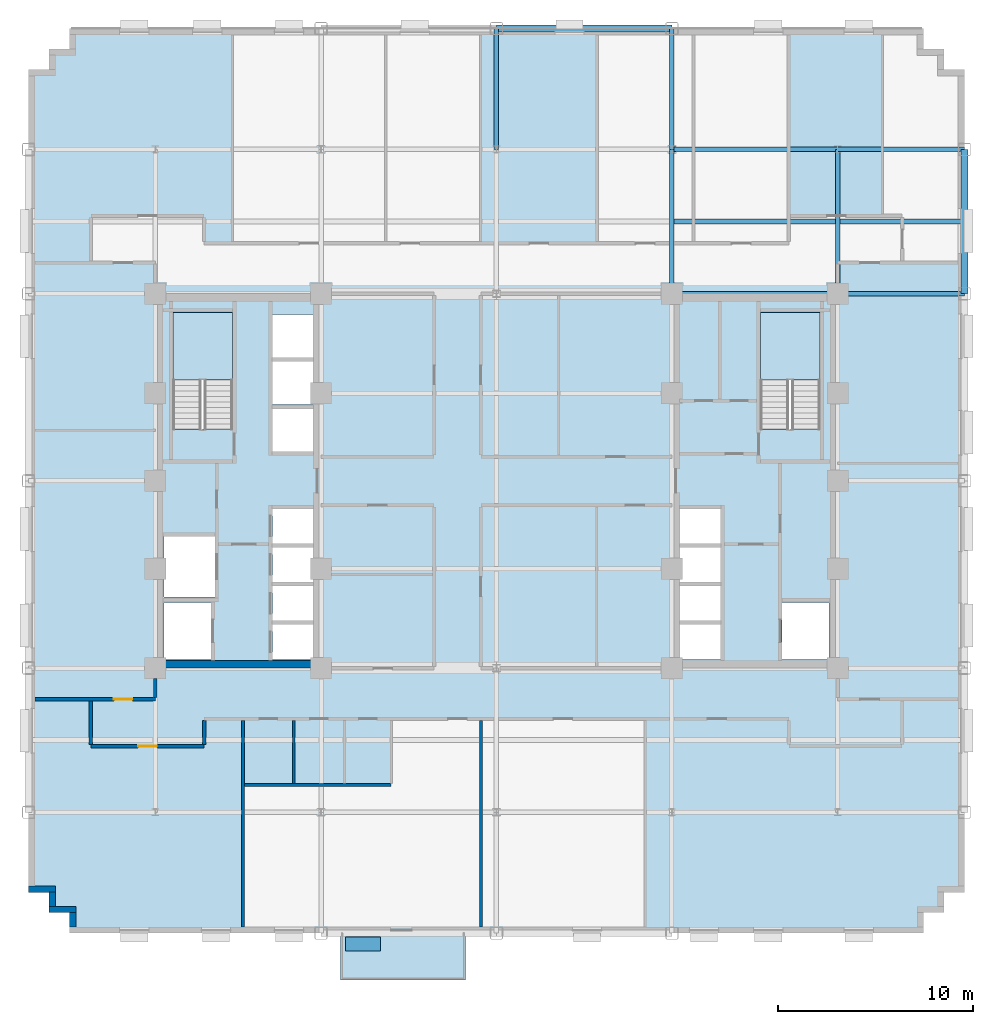
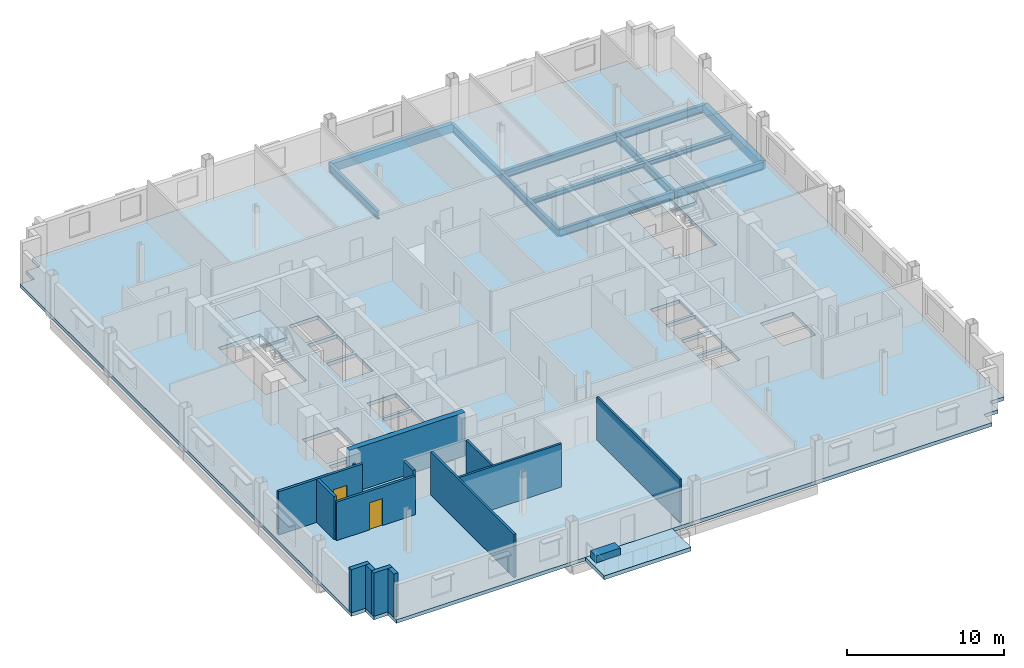
# One storey, part 5 of 14: 14 walls, 12 beams, 4 slabs, 2 doors, 1 plate, 2 openings, 2 elements without a shape of their own.
"""IFC4 building model written with IfcOpenShell, lengths in metres."""

from ifc_helpers import new_model, si_unit, direction, frame, frame_2d, origin, origin_2d, place, context, subcontext, project, spatial, polyline, rectangle, i_section, outline, extrude, source, transform, mapped, material, layer, layer_set, material_profile, profile_set, type_object, type_shapes, element, fill, aggregate, save


model = new_model("IFC4")

# Units and contexts
model_context = context("Model", 3, precision=1e-05, world=origin(), true_north=direction((0.0, 1.0)))
body_context = subcontext(model_context, "Body", "Model", "MODEL_VIEW")
ifc_project = project(units=[si_unit("LENGTHUNIT", "METRE"), si_unit("AREAUNIT", "SQUARE_METRE"), si_unit("VOLUMEUNIT", "CUBIC_METRE"), si_unit("PLANEANGLEUNIT", "RADIAN"), si_unit("MASSUNIT", "GRAM", prefix="KILO")], contexts=[model_context])

# Site, building, storey
site_placement = place(None, origin())
site = spatial("IfcSite", under=ifc_project, at=site_placement, CompositionType="ELEMENT")
building_placement = place(site_placement, origin())
building = spatial("IfcBuilding", under=site, at=building_placement, Name="Nuvemarco Arch Tower", CompositionType="ELEMENT")
storey_placement = place(building_placement, frame((0.0, 0.0, 109.25)))
storey = spatial("IfcBuildingStorey", under=building, at=storey_placement, Name="L28", CompositionType="ELEMENT", Elevation=109.25)

# Beams
ifc_material_1 = material(Name="Steel S355", Category="steel")
ifc_material_profile_1 = material_profile(ifc_material_1, i_section(OverallWidth=0.22998046875, OverallDepth=0.616943359375, WebThickness=0.01318359375, FlangeThickness=0.022216796875, FilletRadius=0.01611328125, at=origin_2d()), Name="W610x140")
ifc_profile_set_1 = profile_set([ifc_material_profile_1], Name="Steel S355")
beam_type_1 = type_object("IfcBeamType", Name="BM-GIRD-610", PredefinedType="BEAM", material=ifc_profile_set_1)
beam_1_placement = place(storey_placement, frame((0.0, 17.0, -0.58837890625), z_axis=(0.0, 1.0, 0.0), x_axis=(-1.0, 0.0, 0.0)))
element("IfcBeam", 1, at=beam_1_placement, inside=storey, type_object=beam_type_1, Name="L28 structural beam BGNS_L28_0_+0.0_+17.0", PredefinedType="BEAM", context=body_context, shape_type="SweptSolid", body=[
    extrude(i_section(OverallWidth=0.22998046875, OverallDepth=0.616943359375, WebThickness=0.01318359375, FlangeThickness=0.022216796875, FilletRadius=0.01611328125, at=origin_2d()), origin(), (0.0, 0.0, 1.0), 6.199951171875),
])
beam_2_placement = place(storey_placement, frame((9.0, 9.60009765625, -0.58837890625), z_axis=(0.0, 1.0, 0.0), x_axis=(-1.0, 0.0, 0.0)))
element("IfcBeam", 2, at=beam_2_placement, inside=storey, type_object=beam_type_1, Name="L28 structural beam BGNS_L28_0_+9.0_+9.6", PredefinedType="BEAM", context=body_context, shape_type="SweptSolid", body=[
    extrude(i_section(OverallWidth=0.22998046875, OverallDepth=0.616943359375, WebThickness=0.01318359375, FlangeThickness=0.022216796875, FilletRadius=0.01611328125, at=origin_2d()), origin(), (0.0, 0.0, 1.0), 7.39990234375),
])
beam_3_placement = place(storey_placement, frame((9.0, 17.0, -0.58837890625), z_axis=(0.0, 1.0, 0.0), x_axis=(-1.0, 0.0, 0.0)))
element("IfcBeam", 3, at=beam_3_placement, inside=storey, type_object=beam_type_1, Name="L28 structural beam BGNS_L28_0_+9.0_+17.0", PredefinedType="BEAM", context=body_context, shape_type="SweptSolid", body=[
    extrude(i_section(OverallWidth=0.22998046875, OverallDepth=0.616943359375, WebThickness=0.01318359375, FlangeThickness=0.022216796875, FilletRadius=0.01611328125, at=origin_2d()), origin(), (0.0, 0.0, 1.0), 6.199951171875),
])
beam_4_placement = place(storey_placement, frame((17.5, 9.60009765625, -0.58837890625), z_axis=(0.0, 1.0, 0.0), x_axis=(-1.0, 0.0, 0.0)))
element("IfcBeam", 4, at=beam_4_placement, inside=storey, type_object=beam_type_1, Name="L28 structural beam BGNS_L28_0_+17.5_+9.6", PredefinedType="BEAM", context=body_context, shape_type="SweptSolid", body=[
    extrude(i_section(OverallWidth=0.22998046875, OverallDepth=0.616943359375, WebThickness=0.01318359375, FlangeThickness=0.022216796875, FilletRadius=0.01611328125, at=origin_2d()), origin(), (0.0, 0.0, 1.0), 7.39990234375),
])
beam_5_placement = place(storey_placement, frame((9.0, 9.60009765625, -0.58837890625), z_axis=(1.0, 0.0, 0.0), x_axis=(0.0, 1.0, 0.0)))
element("IfcBeam", 5, at=beam_5_placement, inside=storey, type_object=beam_type_1, Name="L28 structural beam BGEW_L28_0_+9.6_+9.0", PredefinedType="BEAM", context=body_context, shape_type="SweptSolid", body=[
    extrude(i_section(OverallWidth=0.22998046875, OverallDepth=0.616943359375, WebThickness=0.01318359375, FlangeThickness=0.022216796875, FilletRadius=0.01611328125, at=origin_2d()), origin(), (0.0, 0.0, 1.0), 8.5),
])
beam_6_placement = place(storey_placement, frame((17.5, 9.60009765625, -0.58837890625), z_axis=(1.0, 0.0, 0.0), x_axis=(0.0, 1.0, 0.0)))
element("IfcBeam", 6, at=beam_6_placement, inside=storey, type_object=beam_type_1, Name="L28 structural beam BGEW_L28_0_+9.6_+17.5", PredefinedType="BEAM", context=body_context, shape_type="SweptSolid", body=[
    extrude(i_section(OverallWidth=0.22998046875, OverallDepth=0.616943359375, WebThickness=0.01318359375, FlangeThickness=0.022216796875, FilletRadius=0.01611328125, at=origin_2d()), origin(), (0.0, 0.0, 1.0), 6.5),
])
beam_7_placement = place(storey_placement, frame((9.0, 17.0, -0.58837890625), z_axis=(1.0, 0.0, 0.0), x_axis=(0.0, 1.0, 0.0)))
element("IfcBeam", 7, at=beam_7_placement, inside=storey, type_object=beam_type_1, Name="L28 structural beam BGEW_L28_0_+17.0_+9.0", PredefinedType="BEAM", context=body_context, shape_type="SweptSolid", body=[
    extrude(i_section(OverallWidth=0.22998046875, OverallDepth=0.616943359375, WebThickness=0.01318359375, FlangeThickness=0.022216796875, FilletRadius=0.01611328125, at=origin_2d()), origin(), (0.0, 0.0, 1.0), 8.5),
])
beam_8_placement = place(storey_placement, frame((17.5, 17.0, -0.58837890625), z_axis=(1.0, 0.0, 0.0), x_axis=(0.0, 1.0, 0.0)))
element("IfcBeam", 8, at=beam_8_placement, inside=storey, type_object=beam_type_1, Name="L28 structural beam BGEW_L28_0_+17.0_+17.5", PredefinedType="BEAM", context=body_context, shape_type="SweptSolid", body=[
    extrude(i_section(OverallWidth=0.22998046875, OverallDepth=0.616943359375, WebThickness=0.01318359375, FlangeThickness=0.022216796875, FilletRadius=0.01611328125, at=origin_2d()), origin(), (0.0, 0.0, 1.0), 6.5),
])
ifc_material_profile_2 = material_profile(ifc_material_1, i_section(OverallWidth=0.2548828125, OverallDepth=0.35693359375, WebThickness=0.010498046875, FlangeThickness=0.018310546875, FilletRadius=0.014892578125, at=origin_2d()), Name="W360x101")
ifc_profile_set_2 = profile_set([ifc_material_profile_2], Name="Steel S355")
beam_type_2 = type_object("IfcBeamType", Name="BM-JOIST-360H", PredefinedType="JOIST", material=ifc_profile_set_2)
beam_9_placement = place(storey_placement, frame((9.114990234375, 13.300048828125, -0.45849609375), z_axis=(1.0, 0.0, 0.0), x_axis=(0.0, 1.0, 0.0)))
element("IfcBeam", 9, at=beam_9_placement, inside=storey, type_object=beam_type_2, Name="L28 structural beam BJ_L28_0_+13.3_+9.0", PredefinedType="JOIST", context=body_context, shape_type="SweptSolid", body=[
    extrude(i_section(OverallWidth=0.2548828125, OverallDepth=0.35693359375, WebThickness=0.010498046875, FlangeThickness=0.018310546875, FilletRadius=0.014892578125, at=origin_2d()), origin(), (0.0, 0.0, 1.0), 8.27001953125),
])
beam_10_placement = place(storey_placement, frame((17.614990234375, 13.300048828125, -0.45849609375), z_axis=(1.0, 0.0, 0.0), x_axis=(0.0, 1.0, 0.0)))
element("IfcBeam", 10, at=beam_10_placement, inside=storey, type_object=beam_type_2, Name="L28 structural beam BJ_L28_0_+13.3_+17.5", PredefinedType="JOIST", context=body_context, shape_type="SweptSolid", body=[
    extrude(i_section(OverallWidth=0.2548828125, OverallDepth=0.35693359375, WebThickness=0.010498046875, FlangeThickness=0.018310546875, FilletRadius=0.014892578125, at=origin_2d()), origin(), (0.0, 0.0, 1.0), 6.2099609375),
])
ifc_material_2 = material(Name="Precast concrete C45/55", Category="concrete")
ifc_material_profile_3 = material_profile(ifc_material_2, rectangle(XDim=0.35009765625, YDim=0.64990234375, at=origin_2d()), Name="PC-SP-350x650")
ifc_profile_set_3 = profile_set([ifc_material_profile_3], Name="Precast concrete C45/55")
beam_type_3 = type_object("IfcBeamType", Name="BM-SPAN-RC", PredefinedType="SPANDREL", material=ifc_profile_set_3)
beam_11_placement = place(storey_placement, frame((24.0, 9.60009765625, -0.60498046875), z_axis=(0.0, 1.0, 0.0), x_axis=(-1.0, 0.0, 0.0)))
element("IfcBeam", 11, at=beam_11_placement, inside=storey, type_object=beam_type_3, Name="L28 structural beam BGNS_L28_0_+24.0_+9.6", PredefinedType="SPANDREL", context=body_context, shape_type="SweptSolid", body=[
    extrude(rectangle(XDim=0.35009765625, YDim=0.64990234375, at=origin_2d()), origin(), (0.0, 0.0, 1.0), 7.39990234375),
])
beam_12_placement = place(storey_placement, frame((0.0, 23.199951171875, -0.60498046875), z_axis=(1.0, 0.0, 0.0), x_axis=(0.0, 1.0, 0.0)))
element("IfcBeam", 12, at=beam_12_placement, inside=storey, type_object=beam_type_3, Name="L28 structural beam BGEW_L28_0_+23.2_+0.0", PredefinedType="SPANDREL", context=body_context, shape_type="SweptSolid", body=[
    extrude(rectangle(XDim=0.35009765625, YDim=0.64990234375, at=origin_2d()), origin(), (0.0, 0.0, 1.0), 9.0),
])

# Slab
ifc_material_3 = material(Name="Concrete C50/60", Category="concrete")
ifc_layer_1 = layer(ifc_material_3, 0.280029296875, Name="SL-FLR-280")
ifc_layer_set_1 = layer_set([ifc_layer_1], Name="Concrete C50/60")
slab_type_1 = type_object("IfcSlabType", Name="SL-FLR-280", PredefinedType="FLOOR", material=ifc_layer_set_1)
slab_1_placement = place(storey_placement, frame((0.0, 0.0, -0.280029296875)))
element("IfcSlab", 13, at=slab_1_placement, inside=storey, type_object=slab_type_1, Name="L28 structural floor slab", PredefinedType="FLOOR", context=body_context, shape_type="SweptSolid", body=[
    extrude(outline(polyline([(-21.89990234375, -23.199951171875), (21.89990234375, -23.199951171875), (21.89990234375, -22.14990234375), (22.949951171875, -22.14990234375), (22.949951171875, -21.10009765625), (24.0, -21.10009765625), (24.0, 21.10009765625), (22.949951171875, 21.10009765625), (22.949951171875, 22.14990234375), (21.89990234375, 22.14990234375), (21.89990234375, 23.199951171875), (-21.89990234375, 23.199951171875), (-21.89990234375, 22.14990234375), (-22.949951171875, 22.14990234375), (-22.949951171875, 21.10009765625), (-24.0, 21.10009765625), (-24.0, -21.10009765625), (-22.949951171875, -21.10009765625), (-22.949951171875, -22.14990234375), (-21.89990234375, -22.14990234375), (-21.89990234375, -23.199951171875)]), holes=[polyline([(-13.5400390625, 2.669921875), (-13.5400390625, 8.64990234375), (-16.60009765625, 8.64990234375), (-16.60009765625, 2.630615234375), (-15.070068359375, 2.630615234375), (-15.070068359375, 2.669921875), (-13.5400390625, 2.669921875)]), polyline([(16.60009765625, 2.669921875), (16.60009765625, 8.64990234375), (13.5400390625, 8.64990234375), (13.5400390625, 2.630615234375), (15.070068359375, 2.630615234375), (15.070068359375, 2.669921875), (16.60009765625, 2.669921875)]), polyline([(-17.050048828125, -9.14990234375), (-14.64990234375, -9.14990234375), (-14.64990234375, -6.25), (-17.050048828125, -6.25), (-17.050048828125, -9.14990234375)]), polyline([(-17.050048828125, -5.949951171875), (-14.449951171875, -5.949951171875), (-14.449951171875, -2.85009765625), (-17.050048828125, -2.85009765625), (-17.050048828125, -5.949951171875)]), polyline([(-11.5, -9.14990234375), (-9.35009765625, -9.14990234375), (-9.35009765625, -7.3701171875), (-11.5, -7.3701171875), (-11.5, -9.14990234375)]), polyline([(-11.5, -7.169921875), (-9.35009765625, -7.169921875), (-9.35009765625, -5.389892578125), (-11.5, -5.389892578125), (-11.5, -7.169921875)]), polyline([(-11.5, -5.18994140625), (-9.35009765625, -5.18994140625), (-9.35009765625, -3.409912109375), (-11.5, -3.409912109375), (-11.5, -5.18994140625)]), polyline([(-11.5, -3.2099609375), (-9.35009765625, -3.2099609375), (-9.35009765625, -1.429931640625), (-11.5, -1.429931640625), (-11.5, -3.2099609375)]), polyline([(-11.5, 1.5), (-9.35009765625, 1.5), (-9.35009765625, 3.699951171875), (-11.5, 3.699951171875), (-11.5, 1.5)]), polyline([(-11.5, 3.919921875), (-9.35009765625, 3.919921875), (-9.35009765625, 6.1201171875), (-11.5, 6.1201171875), (-11.5, 3.919921875)]), polyline([(-11.5, 6.340087890625), (-9.35009765625, 6.340087890625), (-9.35009765625, 8.5400390625), (-11.5, 8.5400390625), (-11.5, 6.340087890625)]), polyline([(14.64990234375, -9.14990234375), (17.050048828125, -9.14990234375), (17.050048828125, -6.25), (14.64990234375, -6.25), (14.64990234375, -9.14990234375)]), polyline([(9.35009765625, -9.14990234375), (11.5, -9.14990234375), (11.5, -7.3701171875), (9.35009765625, -7.3701171875), (9.35009765625, -9.14990234375)]), polyline([(9.35009765625, -7.169921875), (11.5, -7.169921875), (11.5, -5.389892578125), (9.35009765625, -5.389892578125), (9.35009765625, -7.169921875)]), polyline([(9.35009765625, -5.18994140625), (11.5, -5.18994140625), (11.5, -3.409912109375), (9.35009765625, -3.409912109375), (9.35009765625, -5.18994140625)]), polyline([(9.35009765625, -3.2099609375), (11.5, -3.2099609375), (11.5, -1.429931640625), (9.35009765625, -1.429931640625), (9.35009765625, -3.2099609375)])]), origin(), (0.0, 0.0, 1.0), 0.280029296875),
])

# Stair, slab
stair_type = type_object("IfcStairType", Name="ST-CORE-20R", PredefinedType="HALF_TURN_STAIR", material=ifc_material_2)
stair_1_placement = place(storey_placement, origin())
stair_1 = element("IfcStair", 14, at=stair_1_placement, inside=storey, type_object=stair_type, Name="L28 Protected Exit Stair ST-1", PredefinedType="HALF_TURN_STAIR")
ifc_layer_2 = layer(ifc_material_2, 0.199951171875, Name="SL-LANDING-200")
ifc_layer_set_2 = layer_set([ifc_layer_2], Name="Precast concrete C45/55")
slab_type_2 = type_object("IfcSlabType", Name="SL-LANDING-200", PredefinedType="LANDING", material=ifc_layer_set_2)
slab_2_placement = place(storey_placement, frame((0.0, 0.0, 1.625)))
slab_2 = element("IfcSlab", 15, at=slab_2_placement, type_object=slab_type_2, Name="ST-20R landing 1", PredefinedType="LANDING", context=body_context, shape_type="SweptSolid", body=[
    extrude(outline(polyline([(-13.5400390625, 5.189453125), (-13.5400390625, 8.64990234375), (-16.60009765625, 8.64990234375), (-16.60009765625, 5.169921875), (-15.070068359375, 5.169921875), (-15.070068359375, 5.189453125), (-13.5400390625, 5.189453125)])), origin(), (0.0, 0.0, 1.0), 0.199951171875),
])
aggregate(stair_1, [slab_2])

stair_2_placement = place(storey_placement, origin())
stair_2 = element("IfcStair", 16, at=stair_2_placement, inside=storey, type_object=stair_type, Name="L28 Protected Exit Stair ST-2", PredefinedType="HALF_TURN_STAIR")
slab_3_placement = place(storey_placement, frame((0.0, 0.0, 1.625)))
slab_3 = element("IfcSlab", 17, at=slab_3_placement, type_object=slab_type_2, Name="ST-20R landing 1", PredefinedType="LANDING", context=body_context, shape_type="SweptSolid", body=[
    extrude(outline(polyline([(16.60009765625, 5.189453125), (16.60009765625, 8.64990234375), (13.5400390625, 8.64990234375), (13.5400390625, 5.169921875), (15.070068359375, 5.169921875), (15.070068359375, 5.189453125), (16.60009765625, 5.189453125)])), origin(), (0.0, 0.0, 1.0), 0.199951171875),
])
aggregate(stair_2, [slab_3])

# Slab
ifc_layer_3 = layer(ifc_material_3, 0.294921875, Name="SL-TR4")
ifc_layer_set_3 = layer_set([ifc_layer_3], Name="Concrete C50/60")
slab_type_3 = type_object("IfcSlabType", Name="SL-TR4", PredefinedType="FLOOR", material=ifc_layer_set_3)
slab_4_placement = place(storey_placement, frame((0.0, 0.0, -0.294921875)))
element("IfcSlab", 18, at=slab_4_placement, inside=storey, type_object=slab_type_3, Name="L28 outdoor spiral terrace slab 1", PredefinedType="FLOOR", context=body_context, shape_type="SweptSolid", body=[
    extrude(outline(polyline([(-8.0, -25.60009765625), (-1.60009765625, -25.60009765625), (-1.60009765625, -23.199951171875), (-8.0, -23.199951171875), (-8.0, -25.60009765625)])), origin(), (0.0, 0.0, 1.0), 0.294921875),
])

# Plate
ifc_layer_4 = layer(ifc_material_2, 0.550048828125, Name="Tree Balcony Structural Planter")
ifc_layer_set_4 = layer_set([ifc_layer_4], Name="Precast concrete C45/55")
plate_type = type_object("IfcPlateType", Name="Tree Balcony Structural Planter", PredefinedType="USERDEFINED", material=ifc_layer_set_4)
shared_shape_1 = source(origin(), body_context, "Body", "SweptSolid", [
    extrude(rectangle(XDim=1.800048828125, YDim=0.699951171875, at=origin_2d()), origin(), (0.0, 0.0, 1.0), 0.550048828125),
])
type_shapes(plate_type, [shared_shape_1])
plate_placement = place(storey_placement, frame((-6.85009765625, -23.75, 0.0), z_axis=(0.0, 0.0, 1.0), x_axis=(1.0, 0.0, 0.0)))
element("IfcPlate", 19, at=plate_placement, inside=storey, type_object=plate_type, Name="L28 Tree Balcony Structural Planter", ObjectType="PLANTER", PredefinedType="USERDEFINED", context=body_context, shape_type="MappedRepresentation", body=[
    mapped(shared_shape_1, transform((0.0, 0.0, 0.0), scale=1.0)),
])

# Walls
ifc_layer_5 = layer(ifc_material_2, 0.320068359375, Name="EW-MID-320")
ifc_layer_set_5 = layer_set([ifc_layer_5], Name="Precast concrete C45/55")
wall_type_1 = type_object("IfcWallType", Name="EW-MID-320", PredefinedType="STANDARD", material=ifc_layer_set_5)
wall_1_placement = place(storey_placement, frame((-24.0, -20.93994140625, 0.0), z_axis=(0.0, 0.0, 1.0), x_axis=(1.0, 0.0, 0.0)))
element("IfcWall", 20, at=wall_1_placement, inside=storey, type_object=wall_type_1, Name="L28 exterior precast facade wall 17", PredefinedType="STANDARD", context=body_context, shape_type="SweptSolid", body=[
    extrude(rectangle(XDim=1.3701171875, YDim=0.320068359375, at=frame_2d((0.68505859375, 0.0))), origin(), (0.0, 0.0, 1.0), 3.360107421875),
])
wall_2_placement = place(storey_placement, frame((-22.7900390625, -21.833984375, 0.0), z_axis=(0.0, 0.0, 1.0), x_axis=(0.0, 1.0, 0.0)))
element("IfcWall", 21, at=wall_2_placement, inside=storey, type_object=wall_type_1, Name="L28 exterior precast facade wall 18", PredefinedType="STANDARD", context=body_context, shape_type="SweptSolid", body=[
    extrude(rectangle(XDim=0.738037109375, YDim=0.320068359375, at=frame_2d((0.369140625, 0.0))), origin(), (0.0, 0.0, 1.0), 3.360107421875),
])
wall_3_placement = place(storey_placement, frame((-22.949951171875, -21.989990234375, 0.0), z_axis=(0.0, 0.0, 1.0), x_axis=(1.0, 0.0, 0.0)))
element("IfcWall", 22, at=wall_3_placement, inside=storey, type_object=wall_type_1, Name="L28 exterior precast facade wall 19", PredefinedType="STANDARD", context=body_context, shape_type="SweptSolid", body=[
    extrude(rectangle(XDim=1.369873046875, YDim=0.320068359375, at=frame_2d((0.68505859375, 0.0))), origin(), (0.0, 0.0, 1.0), 3.360107421875),
])
wall_4_placement = place(storey_placement, frame((-21.739990234375, -22.884033203125, 0.0), z_axis=(0.0, 0.0, 1.0), x_axis=(0.0, 1.0, 0.0)))
element("IfcWall", 23, at=wall_4_placement, inside=storey, type_object=wall_type_1, Name="L28 exterior precast facade wall 20", PredefinedType="STANDARD", context=body_context, shape_type="SweptSolid", body=[
    extrude(rectangle(XDim=0.738037109375, YDim=0.320068359375, at=frame_2d((0.369140625, 0.0))), origin(), (0.0, 0.0, 1.0), 3.360107421875),
])
ifc_material_4 = material(Name="Concrete C60/75", Category="concrete")
ifc_layer_6 = layer(ifc_material_4, 0.39990234375, Name="WL-CORE-400")
ifc_layer_set_6 = layer_set([ifc_layer_6], Name="Concrete C60/75")
wall_type_2 = type_object("IfcWallType", Name="WL-CORE-400", PredefinedType="SHEAR", material=ifc_layer_set_6)
wall_5_placement = place(storey_placement, frame((-17.5, -9.39990234375, 0.0), z_axis=(0.0, 0.0, 1.0), x_axis=(1.0, 0.0, 0.0)))
element("IfcWall", 24, at=wall_5_placement, inside=storey, type_object=wall_type_2, Name="L28 W-core shear wall S", PredefinedType="SHEAR", context=body_context, shape_type="SweptSolid", body=[
    extrude(rectangle(XDim=8.5, YDim=0.39990234375, at=frame_2d((4.25, 0.0))), origin(), (0.0, 0.0, 1.0), 3.3701171875),
])

# Wall, opening, door
ifc_material_5 = material(Name="Fire-rated gypsum drywall partition")
ifc_layer_7 = layer(ifc_material_5, 0.179931640625, Name="WL-CORR-180")
ifc_layer_set_7 = layer_set([ifc_layer_7], Name="Fire-rated gypsum drywall partition")
wall_type_3 = type_object("IfcWallType", Name="WL-CORR-180", PredefinedType="PARTITIONING", material=ifc_layer_set_7)
wall_6_placement = place(storey_placement, frame((-20.800048828125, -13.60009765625, 0.0), z_axis=(0.0, 0.0, 1.0), x_axis=(1.0, 0.0, 0.0)))
wall_6 = element("IfcWall", 25, at=wall_6_placement, inside=storey, type_object=wall_type_3, Name="L28 interior wall IW-L28-002", PredefinedType="PARTITIONING", context=body_context, shape_type="SweptSolid", body=[
    extrude(rectangle(XDim=5.800048828125, YDim=0.179931640625, at=frame_2d((2.89990234375, 0.0))), origin(), (0.0, 0.0, 1.0), 2.998046875),
])
opening_1_placement = place(wall_6_placement, frame((2.419921875, 0.0, 0.0)))
opening_1 = element("IfcOpeningElement", 26, at=opening_1_placement, cuts=wall_6, Name="Opening FD-5", PredefinedType="OPENING", context=body_context, shape_type="SweptSolid", body=[
    extrude(rectangle(XDim=0.9599609375, YDim=2.10009765625, at=frame_2d((0.47998046875, 1.050048828125))), frame((0.0, 0.099853515625, 0.0), z_axis=(0.0, -1.0, 0.0), x_axis=(1.0, 0.0, 0.0)), (0.0, 0.0, 1.0), 0.199951171875),
])
ifc_material_6 = material(Name="Timber fire door", Category="wood")
door_type = type_object("IfcDoorType", Name="DR-CORR-FD", OperationType="NOTDEFINED", PredefinedType="DOOR", material=ifc_material_6)
shared_shape_2 = source(origin(), body_context, "Body", "SweptSolid", [
    extrude(rectangle(XDim=0.9599609375, YDim=2.10009765625, at=frame_2d((0.47998046875, 1.050048828125))), frame((0.0, 0.02490234375, 0.0), z_axis=(0.0, -1.0, 0.0), x_axis=(1.0, 0.0, 0.0)), (0.0, 0.0, 1.0), 0.050048828125),
])
type_shapes(door_type, [shared_shape_2])
door_1_placement = place(opening_1_placement, origin())
door_1 = element("IfcDoor", 27, at=door_1_placement, inside=storey, type_object=door_type, Name="L28 door DR-L28-S_1", OperationType="SINGLE_SWING_RIGHT", OverallHeight=2.10009765625, OverallWidth=0.9599609375, PredefinedType="DOOR", context=body_context, shape_type="MappedRepresentation", body=[
    mapped(shared_shape_2, transform((0.0, 0.0, 0.0), scale=1.0)),
])
fill(opening_1, door_1)

wall_7_placement = place(storey_placement, frame((-23.679931640625, -11.199951171875, 0.0), z_axis=(0.0, 0.0, 1.0), x_axis=(1.0, 0.0, 0.0)))
wall_7 = element("IfcWall", 28, at=wall_7_placement, inside=storey, type_object=wall_type_3, Name="L28 interior wall IW-L28-005", PredefinedType="PARTITIONING", context=body_context, shape_type="SweptSolid", body=[
    extrude(rectangle(XDim=6.179931640625, YDim=0.179931640625, at=frame_2d((3.08984375, 0.0))), origin(), (0.0, 0.0, 1.0), 3.360107421875),
])
opening_2_placement = place(wall_7_placement, frame((4.050048828125, 0.0, 0.0)))
opening_2 = element("IfcOpeningElement", 29, at=opening_2_placement, cuts=wall_7, Name="Opening FD-5", PredefinedType="OPENING", context=body_context, shape_type="SweptSolid", body=[
    extrude(rectangle(XDim=0.9599609375, YDim=2.10009765625, at=frame_2d((0.47998046875, 1.050048828125))), frame((0.0, 0.099853515625, 0.0), z_axis=(0.0, -1.0, 0.0), x_axis=(1.0, 0.0, 0.0)), (0.0, 0.0, 1.0), 0.199951171875),
])
door_2_placement = place(opening_2_placement, origin())
door_2 = element("IfcDoor", 30, at=door_2_placement, inside=storey, type_object=door_type, Name="L28 door DR-L28-W_1", OperationType="SINGLE_SWING_RIGHT", OverallHeight=2.10009765625, OverallWidth=0.9599609375, PredefinedType="DOOR", context=body_context, shape_type="MappedRepresentation", body=[
    mapped(shared_shape_2, transform((0.0, 0.0, 0.0), scale=1.0)),
])
fill(opening_2, door_2)

# Walls
wall_8_placement = place(storey_placement, frame((-20.800048828125, -13.513916015625, 0.0), z_axis=(0.0, 0.0, 1.0), x_axis=(0.0, 1.0, 0.0)))
element("IfcWall", 31, at=wall_8_placement, inside=storey, type_object=wall_type_3, Name="L28 interior wall IW-L28-025", PredefinedType="PARTITIONING", context=body_context, shape_type="SweptSolid", body=[
    extrude(rectangle(XDim=2.22802734375, YDim=0.179931640625, at=frame_2d((1.114013671875, 0.0))), origin(), (0.0, 0.0, 1.0), 3.360107421875),
])
wall_9_placement = place(storey_placement, frame((-17.5, -11.114013671875, 0.0), z_axis=(0.0, 0.0, 1.0), x_axis=(0.0, 1.0, 0.0)))
element("IfcWall", 32, at=wall_9_placement, inside=storey, type_object=wall_type_3, Name="L28 interior wall IW-L28-027", PredefinedType="PARTITIONING", context=body_context, shape_type="SweptSolid", body=[
    extrude(rectangle(XDim=0.968017578125, YDim=0.179931640625, at=frame_2d((0.48388671875, 0.0))), origin(), (0.0, 0.0, 1.0), 2.738037109375),
])
wall_10_placement = place(storey_placement, frame((-15.0, -13.513916015625, 0.0), z_axis=(0.0, 0.0, 1.0), x_axis=(0.0, 1.0, 0.0)))
element("IfcWall", 33, at=wall_10_placement, inside=storey, type_object=wall_type_3, Name="L28 interior wall IW-L28-029", PredefinedType="PARTITIONING", context=body_context, shape_type="SweptSolid", body=[
    extrude(rectangle(XDim=1.22802734375, YDim=0.179931640625, at=frame_2d((0.614013671875, 0.0))), origin(), (0.0, 0.0, 1.0), 3.360107421875),
])
ifc_material_7 = material(Name="Gypsum plasterboard partition")
ifc_layer_8 = layer(ifc_material_7, 0.139892578125, Name="WL-ROOM-140")
ifc_layer_set_8 = layer_set([ifc_layer_8], Name="Gypsum plasterboard partition")
wall_type_4 = type_object("IfcWallType", Name="WL-ROOM-140", PredefinedType="PARTITIONING", material=ifc_layer_set_8)
wall_11_placement = place(storey_placement, frame((-0.800048828125, -22.8798828125, 0.0), z_axis=(0.0, 0.0, 1.0), x_axis=(0.0, 1.0, 0.0)))
element("IfcWall", 34, at=wall_11_placement, inside=storey, type_object=wall_type_4, Name="L28 interior wall IW-L28-039", PredefinedType="PARTITIONING", context=body_context, shape_type="SweptSolid", body=[
    extrude(rectangle(XDim=10.593994140625, YDim=0.139892578125, at=frame_2d((5.296875, 0.0))), origin(), (0.0, 0.0, 1.0), 3.360107421875),
])
ifc_material_8 = material(Name="Moisture-resistant gypsum partition")
ifc_layer_9 = layer(ifc_material_8, 0.14990234375, Name="WL-WET-150")
ifc_layer_set_9 = layer_set([ifc_layer_9], Name="Moisture-resistant gypsum partition")
wall_type_5 = type_object("IfcWallType", Name="WL-WET-150", PredefinedType="PARTITIONING", material=ifc_layer_set_9)
wall_12_placement = place(storey_placement, frame((-12.93408203125, -15.60009765625, 0.0), z_axis=(0.0, 0.0, 1.0), x_axis=(1.0, 0.0, 0.0)))
element("IfcWall", 35, at=wall_12_placement, inside=storey, type_object=wall_type_5, Name="L28 interior wall IW-L28-001", PredefinedType="PARTITIONING", context=body_context, shape_type="SweptSolid", body=[
    extrude(rectangle(XDim=7.5341796875, YDim=0.14990234375, at=frame_2d((3.76708984375, 0.0))), origin(), (0.0, 0.0, 1.0), 3.360107421875),
])
wall_13_placement = place(storey_placement, frame((-13.0, -22.8798828125, 0.0), z_axis=(0.0, 0.0, 1.0), x_axis=(0.0, 1.0, 0.0)))
element("IfcWall", 36, at=wall_13_placement, inside=storey, type_object=wall_type_5, Name="L28 interior wall IW-L28-032", PredefinedType="PARTITIONING", context=body_context, shape_type="SweptSolid", body=[
    extrude(rectangle(XDim=10.593994140625, YDim=0.14990234375, at=frame_2d((5.296875, 0.0))), origin(), (0.0, 0.0, 1.0), 3.360107421875),
])
wall_14_placement = place(storey_placement, frame((-10.39990234375, -15.529052734375, 0.0), z_axis=(0.0, 0.0, 1.0), x_axis=(0.0, 1.0, 0.0)))
element("IfcWall", 37, at=wall_14_placement, inside=storey, type_object=wall_type_5, Name="L28 interior wall IW-L28-033", PredefinedType="PARTITIONING", context=body_context, shape_type="SweptSolid", body=[
    extrude(rectangle(XDim=3.2431640625, YDim=0.14990234375, at=frame_2d((1.62158203125, 0.0))), origin(), (0.0, 0.0, 1.0), 3.360107421875),
])

save(model, "model.ifc")
